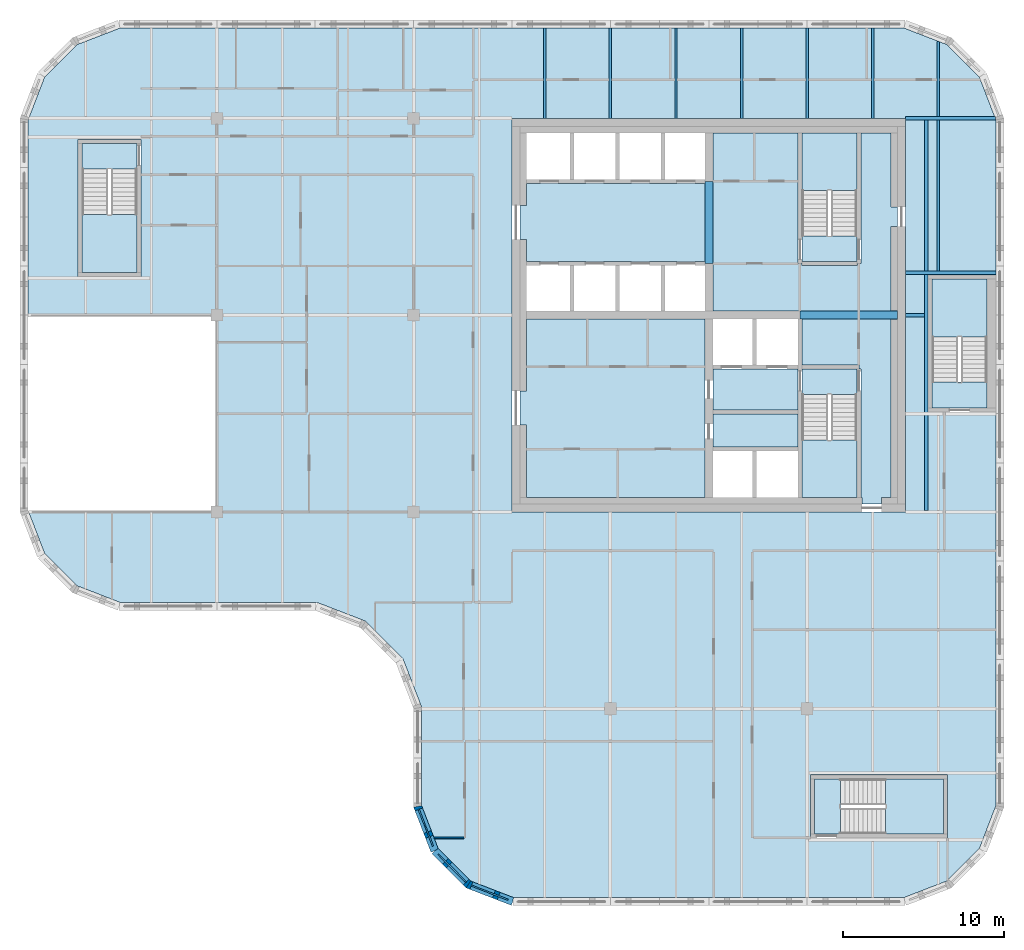
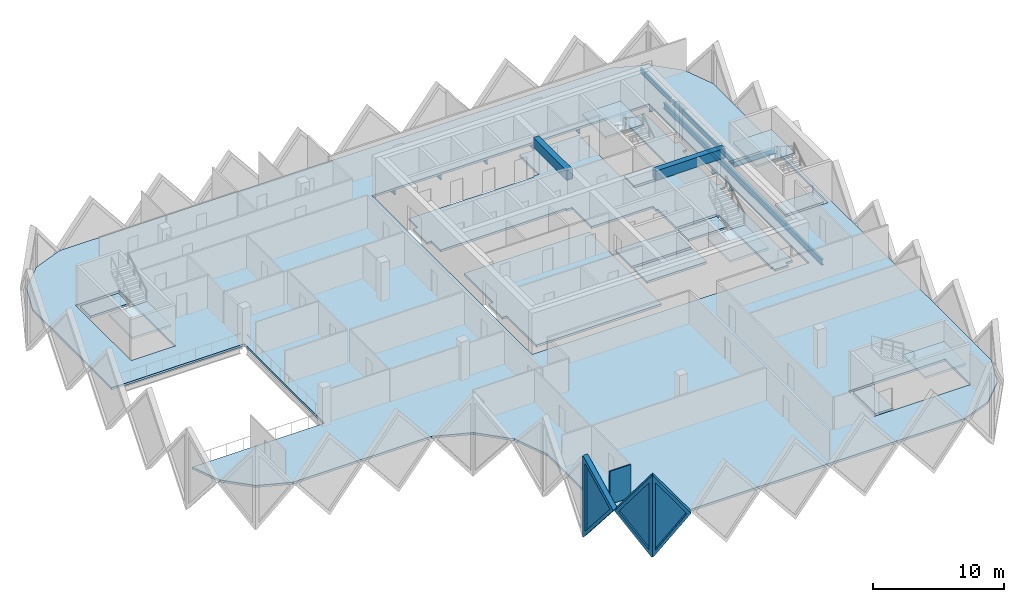
# One storey, part 2 of 11: 15 slabs, 14 beams, 4 walls, 3 plates, 3 openings, 5 elements without a shape of their own.
"""IFC4 building model written with IfcOpenShell, lengths in metres."""

from ifc_helpers import new_model, si_unit, direction, frame, frame_2d, origin, origin_2d, place, context, subcontext, project, spatial, polyline, rectangle, i_section, outline, extrude, faceted_brep, source, transform, mapped, material, layer, layer_set, material_profile, profile_set, type_object, element, fill, aggregate, save


model = new_model("IFC4")

# Units and contexts
model_context = context("Model", 3, precision=1e-05, world=origin(), true_north=direction((0.0, 1.0)))
body_context = subcontext(model_context, "Body", "Model", "MODEL_VIEW")
ifc_project = project(units=[si_unit("LENGTHUNIT", "METRE"), si_unit("AREAUNIT", "SQUARE_METRE"), si_unit("VOLUMEUNIT", "CUBIC_METRE"), si_unit("PLANEANGLEUNIT", "RADIAN"), si_unit("MASSUNIT", "GRAM", prefix="KILO")], contexts=[model_context])

# Site, building, storey
site_placement = place(None, origin())
site = spatial("IfcSite", under=ifc_project, at=site_placement, CompositionType="ELEMENT")
building_placement = place(site_placement, origin())
building = spatial("IfcBuilding", under=site, at=building_placement, Name="Tessera Gate Towers", CompositionType="ELEMENT")
storey_placement = place(building_placement, frame((0.0, 0.0, 224.5)))
storey = spatial("IfcBuildingStorey", under=building, at=storey_placement, Name="L56", CompositionType="ELEMENT", Elevation=224.5)

# Beams
ifc_material_1 = material(Name="Concrete C50/60", Category="concrete")
ifc_material_profile_1 = material_profile(ifc_material_1, rectangle(XDim=0.5, YDim=0.89990234375, at=origin_2d()), Name="RC 500x900")
ifc_profile_set_1 = profile_set([ifc_material_profile_1], Name="Concrete C50/60")
beam_type_1 = type_object("IfcBeamType", Name="COUPLING BEAM 500x900 C50/60", PredefinedType="BEAM", material=ifc_profile_set_1)
beam_1_placement = place(storey_placement, frame((48.35009765625, 36.60009765625, 3.14990234375), z_axis=(1.0, 0.0, 0.0), x_axis=(0.0, 1.0, 0.0)))
element("IfcBeam", 1, at=beam_1_placement, inside=storey, type_object=beam_type_1, Name="L56 coupling beam 1", PredefinedType="BEAM", context=body_context, shape_type="SweptSolid", body=[
    extrude(rectangle(XDim=0.5, YDim=0.89990234375, at=origin_2d()), origin(), (0.0, 0.0, 1.0), 6.0498046875),
])
beam_2_placement = place(storey_placement, frame((42.699951171875, 39.800048828125, 3.14990234375), z_axis=(0.0, 1.0, 0.0), x_axis=(-1.0, 0.0, 0.0)))
element("IfcBeam", 2, at=beam_2_placement, inside=storey, type_object=beam_type_1, Name="L56 coupling beam 2", PredefinedType="BEAM", context=body_context, shape_type="SweptSolid", body=[
    extrude(rectangle(XDim=0.5, YDim=0.89990234375, at=origin_2d()), origin(), (0.0, 0.0, 1.0), 5.099853515625),
])
ifc_material_2 = material(Name="Steel 350W", Category="steel")
ifc_material_profile_2 = material_profile(ifc_material_2, i_section(OverallWidth=0.208984375, OverallDepth=0.532958984375, WebThickness=0.01025390625, FlangeThickness=0.015625, at=origin_2d()), Name="W530x92")
ifc_profile_set_2 = profile_set([ifc_material_profile_2], Name="Steel 350W")
beam_type_2 = type_object("IfcBeamType", Name="FLOOR GIRDER W530x92", PredefinedType="BEAM", material=ifc_profile_set_2)
beam_3_placement = place(storey_placement, frame((54.89892578125, 36.60009765625, -0.466552734375), z_axis=(1.0, 0.0, 0.0), x_axis=(0.0, 1.0, 0.0)))
element("IfcBeam", 3, at=beam_3_placement, inside=storey, type_object=beam_type_2, Name="T1-GD-L56-5710", PredefinedType="BEAM", context=body_context, shape_type="SweptSolid", body=[
    extrude(i_section(OverallWidth=0.208984375, OverallDepth=0.532958984375, WebThickness=0.01025390625, FlangeThickness=0.015625, at=origin_2d()), origin(), (0.0, 0.0, 1.0), 1.176513671875),
])
beam_4_placement = place(storey_placement, frame((54.90087890625, 48.800048828125, -0.466552734375), z_axis=(1.0, 0.0, 0.0), x_axis=(0.0, 1.0, 0.0)))
element("IfcBeam", 4, at=beam_4_placement, inside=storey, type_object=beam_type_2, Name="T1-GD-L56-5714", PredefinedType="BEAM", context=body_context, shape_type="SweptSolid", body=[
    extrude(i_section(OverallWidth=0.208984375, OverallDepth=0.532958984375, WebThickness=0.01025390625, FlangeThickness=0.015625, at=origin_2d()), origin(), (0.0, 0.0, 1.0), 5.564208984375),
])
beam_5_placement = place(storey_placement, frame((54.89892578125, 39.219970703125, -0.466552734375), z_axis=(1.0, 0.0, 0.0), x_axis=(0.0, 1.0, 0.0)))
element("IfcBeam", 5, at=beam_5_placement, inside=storey, type_object=beam_type_2, Name="T1-GD-L56-5732", PredefinedType="BEAM", context=body_context, shape_type="SweptSolid", body=[
    extrude(i_section(OverallWidth=0.208984375, OverallDepth=0.532958984375, WebThickness=0.01025390625, FlangeThickness=0.015625, at=origin_2d()), origin(), (0.0, 0.0, 1.0), 5.60205078125),
])
beam_6_placement = place(storey_placement, frame((56.179931640625, 24.50439453125, -0.466552734375), z_axis=(0.0, 1.0, 0.0), x_axis=(-1.0, 0.0, 0.0)))
element("IfcBeam", 6, at=beam_6_placement, inside=storey, type_object=beam_type_2, Name="T1-GD-L56-5733", PredefinedType="BEAM", context=body_context, shape_type="SweptSolid", body=[
    extrude(i_section(OverallWidth=0.208984375, OverallDepth=0.532958984375, WebThickness=0.01025390625, FlangeThickness=0.015625, at=origin_2d()), origin(), (0.0, 0.0, 1.0), 24.191162109375),
])
ifc_material_3 = material(Name="Steel 350W", Category="steel")
ifc_material_profile_3 = material_profile(ifc_material_3, i_section(OverallWidth=0.153076171875, OverallDepth=0.455078125, WebThickness=0.008056640625, FlangeThickness=0.01318359375, at=origin_2d()), Name="W460x60")
ifc_profile_set_3 = profile_set([ifc_material_profile_3], Name="Steel 350W")
beam_type_3 = type_object("IfcBeamType", Name="FLOOR SECONDARY W460x60", PredefinedType="BEAM", material=ifc_profile_set_3)
for number, where, z_axis, x_axis, name in (
    (7, (32.533203125, 48.800048828125, -0.427490234375), (0.0, 1.0, 0.0), (-1.0, 0.0, 0.0), "T1-BM-L56-5755"),
    (8, (36.60009765625, 48.800048828125, -0.427490234375), (0.0, 1.0, 0.0), (-1.0, 0.0, 0.0), "T1-BM-L56-5756"),
    (9, (40.666748046875, 48.800048828125, -0.427490234375), (0.0, 1.0, 0.0), (-1.0, 0.0, 0.0), "T1-BM-L56-5759"),
    (10, (44.7333984375, 48.800048828125, -0.427490234375), (0.0, 1.0, 0.0), (-1.0, 0.0, 0.0), "T1-BM-L56-5762"),
    (11, (48.800048828125, 48.800048828125, -0.427490234375), (0.0, 1.0, 0.0), (-1.0, 0.0, 0.0), "T1-BM-L56-5763"),
    (12, (52.86669921875, 48.800048828125, -0.427490234375), (0.0, 1.0, 0.0), (-1.0, 0.0, 0.0), "T1-BM-L56-5767"),
):
    element("IfcBeam", number, at=place(storey_placement, frame(where, z_axis=z_axis, x_axis=x_axis)), inside=storey, type_object=beam_type_3, Name=name, PredefinedType="BEAM", context=body_context, shape_type="SweptSolid", body=[
        extrude(i_section(OverallWidth=0.153076171875, OverallDepth=0.455078125, WebThickness=0.008056640625, FlangeThickness=0.01318359375, at=origin_2d()), origin(), (0.0, 0.0, 1.0), 5.599853515625),
    ])
beam_7_placement = place(storey_placement, frame((56.933349609375, 39.324462890625, -0.427490234375), z_axis=(0.0, 1.0, 0.0), x_axis=(-1.0, 0.0, 0.0)))
element("IfcBeam", 13, at=beam_7_placement, inside=storey, type_object=beam_type_3, Name="T1-BM-L56-5772", PredefinedType="BEAM", context=body_context, shape_type="SweptSolid", body=[
    extrude(i_section(OverallWidth=0.153076171875, OverallDepth=0.455078125, WebThickness=0.008056640625, FlangeThickness=0.01318359375, at=origin_2d()), origin(), (0.0, 0.0, 1.0), 9.37109375),
])
beam_8_placement = place(storey_placement, frame((56.933349609375, 48.904541015625, -0.427490234375), z_axis=(0.0, 1.0, 0.0), x_axis=(-1.0, 0.0, 0.0)))
element("IfcBeam", 14, at=beam_8_placement, inside=storey, type_object=beam_type_3, Name="T1-BM-L56-5773", PredefinedType="BEAM", context=body_context, shape_type="SweptSolid", body=[
    extrude(i_section(OverallWidth=0.153076171875, OverallDepth=0.455078125, WebThickness=0.008056640625, FlangeThickness=0.01318359375, at=origin_2d()), origin(), (0.0, 0.0, 1.0), 4.675048828125),
])

# Slabs
ifc_material_4 = material(Name="Concrete C35/45", Category="concrete")
ifc_layer_1 = layer(ifc_material_4, 0.199951171875)
ifc_layer_set_1 = layer_set([ifc_layer_1], Name="COMPOSITE FLOOR 200")
slab_type_1 = type_object("IfcSlabType", Name="COMPOSITE FLOOR 200", PredefinedType="FLOOR", material=ifc_layer_set_1)
slab_1_placement = place(storey_placement, frame((0.0, 0.0, -0.199951171875)))
element("IfcSlab", 15, at=slab_1_placement, inside=storey, type_object=slab_type_1, Name="T1-L56", PredefinedType="FLOOR", context=body_context, shape_type="SweptSolid", body=[
    extrude(outline(polyline([(0.5, 36.60009765625), (12.199951171875, 36.60009765625), (12.199951171875, 24.39990234375), (0.535888671875, 24.39990234375), (1.526123046875, 21.8330078125), (3.533203125, 19.826171875), (6.193115234375, 18.800048828125), (18.39306640625, 18.800048828125), (21.42431640625, 17.630615234375), (23.730712890625, 15.32421875), (24.89990234375, 12.293212890625), (24.89990234375, 6.193115234375), (25.926025390625, 3.533203125), (27.93310546875, 1.526123046875), (30.593017578125, 0.5), (54.806884765625, 0.5), (57.466796875, 1.526123046875), (59.473876953125, 3.533203125), (60.5, 6.193115234375), (60.5, 48.706787109375), (59.473876953125, 51.366943359375), (57.466796875, 53.373779296875), (54.806884765625, 54.39990234375), (6.193115234375, 54.39990234375), (3.533203125, 53.373779296875), (1.526123046875, 51.366943359375), (0.5, 48.706787109375), (0.5, 36.60009765625)]), holes=[polyline([(3.60009765625, 39.0), (3.60009765625, 47.5), (7.5, 47.5), (7.5, 39.0), (3.60009765625, 39.0)]), polyline([(30.5, 24.39990234375), (30.5, 48.800048828125), (54.89990234375, 48.800048828125), (54.89990234375, 24.39990234375), (30.5, 24.39990234375)]), polyline([(49.0, 4.199951171875), (49.0, 8.10009765625), (57.5, 8.10009765625), (57.5, 4.199951171875), (49.0, 4.199951171875)]), polyline([(56.300048828125, 30.60009765625), (56.300048828125, 39.10009765625), (60.199951171875, 39.10009765625), (60.199951171875, 30.60009765625), (56.300048828125, 30.60009765625)])]), origin(), (0.0, 0.0, 1.0), 0.199951171875),
])
ifc_material_5 = material(Name="Concrete C35/45", Category="concrete")
ifc_layer_2 = layer(ifc_material_5, 0.199951171875)
ifc_layer_set_2 = layer_set([ifc_layer_2], Name="CORE FLOOR SLAB 200")
slab_type_2 = type_object("IfcSlabType", Name="CORE FLOOR SLAB 200", PredefinedType="FLOOR", material=ifc_layer_set_2)
slab_2_placement = place(storey_placement, frame((0.0, 0.0, -0.199951171875)))
element("IfcSlab", 16, at=slab_2_placement, inside=storey, type_object=slab_type_2, Name="L56 core floor slab", PredefinedType="FLOOR", context=body_context, shape_type="SweptSolid", body=[
    extrude(outline(polyline([(42.449951171875, 44.89990234375), (42.449951171875, 44.77490234375), (31.39990234375, 44.77490234375), (31.39990234375, 43.39990234375), (31.0, 43.39990234375), (31.0, 41.300048828125), (31.39990234375, 41.300048828125), (31.39990234375, 39.925048828125), (42.449951171875, 39.925048828125), (42.449951171875, 39.800048828125), (42.949951171875, 39.800048828125), (42.949951171875, 36.85009765625), (48.35009765625, 36.85009765625), (48.35009765625, 36.35009765625), (48.47509765625, 36.35009765625), (48.47509765625, 33.52490234375), (52.0, 33.52490234375), (52.0, 33.27490234375), (52.125, 33.27490234375), (52.125, 25.300048828125), (52.199951171875, 25.300048828125), (52.199951171875, 24.89990234375), (53.39990234375, 24.89990234375), (53.39990234375, 25.300048828125), (54.0, 25.300048828125), (54.0, 36.320068359375), (54.39990234375, 36.320068359375), (54.39990234375, 36.8798828125), (54.0, 36.8798828125), (54.0, 42.10009765625), (54.39990234375, 42.10009765625), (54.39990234375, 43.300048828125), (54.0, 43.300048828125), (54.0, 47.89990234375), (52.125, 47.89990234375), (52.125, 39.800048828125), (51.875, 39.800048828125), (51.875, 39.675048828125), (48.47509765625, 39.675048828125), (48.47509765625, 39.800048828125), (48.22509765625, 39.800048828125), (48.22509765625, 47.89990234375), (42.949951171875, 47.89990234375), (42.949951171875, 44.89990234375), (42.449951171875, 44.89990234375)])), origin(), (0.0, 0.0, 1.0), 0.199951171875),
])
slab_3_placement = place(storey_placement, frame((0.0, 0.0, -0.199951171875)))
element("IfcSlab", 17, at=slab_3_placement, inside=storey, type_object=slab_type_2, Name="L56 core floor slab", PredefinedType="FLOOR", context=body_context, shape_type="SweptSolid", body=[
    extrude(outline(polyline([(31.39990234375, 36.35009765625), (31.39990234375, 31.89990234375), (31.0, 31.89990234375), (31.0, 29.800048828125), (31.39990234375, 29.800048828125), (31.39990234375, 25.300048828125), (42.449951171875, 25.300048828125), (42.449951171875, 36.35009765625), (31.39990234375, 36.35009765625)])), origin(), (0.0, 0.0, 1.0), 0.199951171875),
])
slab_4_placement = place(storey_placement, frame((0.0, 0.0, -0.199951171875)))
element("IfcSlab", 18, at=slab_4_placement, inside=storey, type_object=slab_type_2, Name="L56 core floor slab", PredefinedType="FLOOR", context=body_context, shape_type="SweptSolid", body=[
    extrude(outline(polyline([(42.949951171875, 33.27490234375), (42.949951171875, 30.72509765625), (48.22509765625, 30.72509765625), (48.22509765625, 33.27490234375), (42.949951171875, 33.27490234375)])), origin(), (0.0, 0.0, 1.0), 0.199951171875),
])
slab_5_placement = place(storey_placement, frame((0.0, 0.0, -0.199951171875)))
element("IfcSlab", 19, at=slab_5_placement, inside=storey, type_object=slab_type_2, Name="L56 core floor slab", PredefinedType="FLOOR", context=body_context, shape_type="SweptSolid", body=[
    extrude(outline(polyline([(48.22509765625, 30.47509765625), (42.949951171875, 30.47509765625), (42.949951171875, 28.425048828125), (48.22509765625, 28.425048828125), (48.22509765625, 30.47509765625)])), origin(), (0.0, 0.0, 1.0), 0.199951171875),
])
slab_6_placement = place(storey_placement, frame((0.0, 0.0, -0.199951171875)))
element("IfcSlab", 20, at=slab_6_placement, inside=storey, type_object=slab_type_2, Name="L56 core floor slab", PredefinedType="FLOOR", context=body_context, shape_type="SweptSolid", body=[
    extrude(outline(polyline([(51.875, 31.675048828125), (51.875, 33.27490234375), (48.47509765625, 33.27490234375), (48.47509765625, 31.675048828125), (51.875, 31.675048828125)])), origin(), (0.0, 0.0, 1.0), 0.199951171875),
])
slab_7_placement = place(storey_placement, frame((0.0, 0.0, -0.199951171875)))
element("IfcSlab", 21, at=slab_7_placement, inside=storey, type_object=slab_type_2, Name="L56 core floor slab", PredefinedType="FLOOR", context=body_context, shape_type="SweptSolid", body=[
    extrude(outline(polyline([(48.47509765625, 41.52490234375), (48.47509765625, 39.925048828125), (51.875, 39.925048828125), (51.875, 41.52490234375), (48.47509765625, 41.52490234375)])), origin(), (0.0, 0.0, 1.0), 0.199951171875),
])
slab_8_placement = place(storey_placement, frame((0.0, 0.0, -0.199951171875)))
element("IfcSlab", 22, at=slab_8_placement, inside=storey, type_object=slab_type_2, Name="L56 ST3 floor landing", PredefinedType="FLOOR", context=body_context, shape_type="SweptSolid", body=[
    extrude(outline(polyline([(3.85009765625, 47.25), (3.85009765625, 45.64990234375), (7.25, 45.64990234375), (7.25, 47.25), (3.85009765625, 47.25)])), origin(), (0.0, 0.0, 1.0), 0.199951171875),
])
slab_9_placement = place(storey_placement, frame((0.0, 0.0, -0.199951171875)))
element("IfcSlab", 23, at=slab_9_placement, inside=storey, type_object=slab_type_2, Name="L56 ST4 floor landing", PredefinedType="FLOOR", context=body_context, shape_type="SweptSolid", body=[
    extrude(outline(polyline([(49.25, 4.449951171875), (50.85009765625, 4.449951171875), (50.85009765625, 7.85009765625), (49.25, 7.85009765625), (49.25, 4.449951171875)])), origin(), (0.0, 0.0, 1.0), 0.199951171875),
])
slab_10_placement = place(storey_placement, frame((0.0, 0.0, -0.199951171875)))
element("IfcSlab", 24, at=slab_10_placement, inside=storey, type_object=slab_type_2, Name="L56 ST5 floor landing", PredefinedType="FLOOR", context=body_context, shape_type="SweptSolid", body=[
    extrude(outline(polyline([(59.949951171875, 30.85009765625), (59.949951171875, 32.449951171875), (56.550048828125, 32.449951171875), (56.550048828125, 30.85009765625), (59.949951171875, 30.85009765625)])), origin(), (0.0, 0.0, 1.0), 0.199951171875),
])

# Stair, slab
ifc_material_6 = material(Name="Concrete C40/50", Category="concrete")
stair_type_1 = type_object("IfcStairType", Name="EXIT STAIR ST1 1600", PredefinedType="HALF_TURN_STAIR", material=ifc_material_6)
stair_1_placement = place(storey_placement, origin())
stair_1 = element("IfcStair", 25, at=stair_1_placement, inside=storey, type_object=stair_type_1, Name="L56 Protected Exit Stair ST1", PredefinedType="HALF_TURN_STAIR")
ifc_material_7 = material(Name="Concrete C40/50", Category="concrete")
ifc_layer_3 = layer(ifc_material_7, 0.199951171875)
ifc_layer_set_3 = layer_set([ifc_layer_3], Name="EXIT STAIR LANDING 200")
slab_type_3 = type_object("IfcSlabType", Name="EXIT STAIR LANDING 200", PredefinedType="LANDING", material=ifc_layer_set_3)
slab_11_placement = place(storey_placement, frame((0.0, 0.0, 1.699951171875)))
slab_11 = element("IfcSlab", 26, at=slab_11_placement, type_object=slab_type_3, Name="ST1 landing 1", PredefinedType="LANDING", context=body_context, shape_type="SweptSolid", body=[
    extrude(outline(polyline([(48.47509765625, 28.875), (48.47509765625, 25.300048828125), (51.875, 25.300048828125), (51.875, 28.875), (48.47509765625, 28.875)])), origin(), (0.0, 0.0, 1.0), 0.199951171875),
])
aggregate(stair_1, [slab_11])

ifc_material_8 = material(Name="Concrete C40/50", Category="concrete")
stair_type_2 = type_object("IfcStairType", Name="EXIT STAIR ST2 1600", PredefinedType="HALF_TURN_STAIR", material=ifc_material_8)
stair_2_placement = place(storey_placement, origin())
stair_2 = element("IfcStair", 27, at=stair_2_placement, inside=storey, type_object=stair_type_2, Name="L56 Protected Exit Stair ST2", PredefinedType="HALF_TURN_STAIR")
slab_12_placement = place(storey_placement, frame((0.0, 0.0, 1.699951171875)))
slab_12 = element("IfcSlab", 28, at=slab_12_placement, type_object=slab_type_3, Name="ST2 landing 1", PredefinedType="LANDING", context=body_context, shape_type="SweptSolid", body=[
    extrude(outline(polyline([(51.875, 44.324951171875), (51.875, 47.89990234375), (48.47509765625, 47.89990234375), (48.47509765625, 44.324951171875), (51.875, 44.324951171875)])), origin(), (0.0, 0.0, 1.0), 0.199951171875),
])
aggregate(stair_2, [slab_12])

ifc_material_9 = material(Name="Concrete C40/50", Category="concrete")
stair_type_3 = type_object("IfcStairType", Name="EXIT STAIR ST3 1600", PredefinedType="HALF_TURN_STAIR", material=ifc_material_9)
stair_3_placement = place(storey_placement, origin())
stair_3 = element("IfcStair", 29, at=stair_3_placement, inside=storey, type_object=stair_type_3, Name="L56 West Exit Stair ST3", PredefinedType="HALF_TURN_STAIR")
slab_13_placement = place(storey_placement, frame((0.0, 0.0, 1.699951171875)))
slab_13 = element("IfcSlab", 30, at=slab_13_placement, type_object=slab_type_3, Name="ST3 landing 1", PredefinedType="LANDING", context=body_context, shape_type="SweptSolid", body=[
    extrude(outline(polyline([(3.85009765625, 42.85009765625), (3.85009765625, 39.25), (7.25, 39.25), (7.25, 42.85009765625), (3.85009765625, 42.85009765625)])), origin(), (0.0, 0.0, 1.0), 0.199951171875),
])
aggregate(stair_3, [slab_13])

ifc_material_10 = material(Name="Concrete C40/50", Category="concrete")
stair_type_4 = type_object("IfcStairType", Name="EXIT STAIR ST4 1600", PredefinedType="HALF_TURN_STAIR", material=ifc_material_10)
stair_4_placement = place(storey_placement, origin())
stair_4 = element("IfcStair", 31, at=stair_4_placement, inside=storey, type_object=stair_type_4, Name="L56 South Exit Stair ST4", PredefinedType="HALF_TURN_STAIR")
slab_14_placement = place(storey_placement, frame((0.0, 0.0, 1.699951171875)))
slab_14 = element("IfcSlab", 32, at=slab_14_placement, type_object=slab_type_3, Name="ST4 landing 1", PredefinedType="LANDING", context=body_context, shape_type="SweptSolid", body=[
    extrude(outline(polyline([(53.64990234375, 4.449951171875), (57.25, 4.449951171875), (57.25, 7.85009765625), (53.64990234375, 7.85009765625), (53.64990234375, 4.449951171875)])), origin(), (0.0, 0.0, 1.0), 0.199951171875),
])
aggregate(stair_4, [slab_14])

ifc_material_11 = material(Name="Concrete C40/50", Category="concrete")
stair_type_5 = type_object("IfcStairType", Name="EXIT STAIR ST5 1600", PredefinedType="HALF_TURN_STAIR", material=ifc_material_11)
stair_5_placement = place(storey_placement, origin())
stair_5 = element("IfcStair", 33, at=stair_5_placement, inside=storey, type_object=stair_type_5, Name="L56 East Exit Stair ST5", PredefinedType="HALF_TURN_STAIR")
slab_15_placement = place(storey_placement, frame((0.0, 0.0, 1.699951171875)))
slab_15 = element("IfcSlab", 34, at=slab_15_placement, type_object=slab_type_3, Name="ST5 landing 1", PredefinedType="LANDING", context=body_context, shape_type="SweptSolid", body=[
    extrude(outline(polyline([(59.949951171875, 35.25), (59.949951171875, 38.85009765625), (56.550048828125, 38.85009765625), (56.550048828125, 35.25), (59.949951171875, 35.25)])), origin(), (0.0, 0.0, 1.0), 0.199951171875),
])
aggregate(stair_5, [slab_15])

# Wall
ifc_material_12 = material(Name="Glass", Category="glass")
ifc_layer_4 = layer(ifc_material_12, 0.10009765625)
ifc_layer_set_4 = layer_set([ifc_layer_4], Name="GLAZED PARTITION 100")
wall_type_1 = type_object("IfcWallType", Name="GLAZED PARTITION 100", PredefinedType="PARTITIONING", material=ifc_layer_set_4)
wall_1_placement = place(storey_placement, frame((25.668701171875, 4.199951171875, 0.0), z_axis=(0.0, 0.0, 1.0), x_axis=(1.0, 0.0, 0.0)))
element("IfcWall", 35, at=wall_1_placement, inside=storey, type_object=wall_type_1, Name="T1-L56-PW-003", PredefinedType="PARTITIONING", context=body_context, shape_type="SweptSolid", body=[
    extrude(rectangle(XDim=1.855224609375, YDim=0.10009765625, at=frame_2d((0.927734375, 0.0))), origin(), (0.0, 0.0, 1.0), 3.06689453125),
])

# Wall, opening, plate
ifc_material_13 = material(Name="Precast concrete C60/75 white", Category="concrete")
ifc_layer_5 = layer(ifc_material_13, 0.5)
ifc_layer_set_5 = layer_set([ifc_layer_5], Name="TS3 corner tessera")
wall_type_2 = type_object("IfcWallType", Name="TS3 corner tessera", PredefinedType="SOLIDWALL", material=ifc_layer_set_5)
shared_shape_1 = source(origin(), body_context, "Body", "Brep", [
    faceted_brep([(0.046630859375, -0.25, 0.0), (2.9970703125, -0.25, 3.800048828125), (0.046630859375, -0.25, 7.60009765625), (0.0, -0.25, 7.541259765625), (0.0, -0.25, 0.058837890625), (0.09326171875, 0.25, 7.5400390625), (2.9443359375, 0.25, 3.8681640625), (2.9443359375, 0.25, 3.73193359375), (0.09326171875, 0.25, 0.06005859375), (2.9970703125, 0.00048828125, 3.800048828125), (0.046630859375, 0.0, 0.0), (0.046630859375, 0.0, 7.60009765625)], [[[0, 1, 2, 3, 4]], [[5, 6, 7, 8]], [[8, 7, 9, 1, 0, 10]], [[6, 5, 11, 2, 1, 9]], [[3, 2, 11]], [[10, 0, 4]], [[8, 10, 4, 3, 11, 5]], [[9, 7, 6]]]),
])
wall_2_placement = place(storey_placement, frame((24.63330078125, 6.18994140625, -3.800048828125), z_axis=(0.0, 0.0, 1.0), x_axis=(0.359901446078, -0.932990326376, 0.0)))
wall_2 = element("IfcWall", 36, at=wall_2_placement, inside=storey, type_object=wall_type_2, Name="Precast corner tessera T1 TS3-1318", PredefinedType="SOLIDWALL", context=body_context, shape_type="MappedRepresentation", body=[
    mapped(shared_shape_1, transform((0.0, 0.0, 0.0), scale=1.0)),
])
shared_shape_2 = source(origin(), body_context, "Body", "SweptSolid", [
    extrude(outline(polyline([(0.24658203125, 0.665283203125), (2.6806640625, 3.800048828125), (0.24658203125, 6.934814453125), (0.24658203125, 0.665283203125)])), frame((0.0, 0.260009765625, 0.0), z_axis=(0.0, -1.0, 0.0), x_axis=(1.0, 0.0, 0.0)), (0.0, 0.0, 1.0), 0.52001953125),
])
opening_1_placement = place(wall_2_placement, origin())
opening_1 = element("IfcOpeningElement", 37, at=opening_1_placement, cuts=wall_2, Name="Opening T1-PL2-2065", PredefinedType="OPENING", context=body_context, shape_type="MappedRepresentation", body=[
    mapped(shared_shape_2, transform((0.0, 0.0, 0.0), scale=1.0)),
])
ifc_material_14 = material(Name="Low-e laminated glass", Category="glass")
ifc_layer_6 = layer(ifc_material_14, 0.06005859375)
ifc_layer_set_6 = layer_set([ifc_layer_6], Name="PL2 rhombic pane")
plate_type = type_object("IfcPlateType", Name="PL2 rhombic pane", PredefinedType="SHEET", material=ifc_layer_set_6)
shared_shape_3 = source(origin(), body_context, "Body", "SweptSolid", [
    extrude(outline(polyline([(0.24658203125, 0.665283203125), (2.6806640625, 3.800048828125), (0.24658203125, 6.934814453125), (0.24658203125, 0.665283203125)])), frame((0.0, 0.030029296875, 0.0), z_axis=(0.0, -1.0, 0.0), x_axis=(1.0, 0.0, 0.0)), (0.0, 0.0, 1.0), 0.06005859375),
])
plate_1_placement = place(opening_1_placement, origin())
plate_1 = element("IfcPlate", 38, at=plate_1_placement, inside=storey, type_object=plate_type, Name="Glass pane T1 PL2-2065", PredefinedType="SHEET", context=body_context, shape_type="MappedRepresentation", body=[
    mapped(shared_shape_3, transform((0.0, 0.0, 0.0), scale=1.0)),
])
fill(opening_1, plate_1)

shared_shape_4 = source(origin(), body_context, "Body", "Brep", [
    faceted_brep([(0.052978515625, -0.25, 0.0), (3.00341796875, -0.25, 3.800048828125), (0.052978515625, -0.25, 7.60009765625), (0.0, -0.25, 7.53173828125), (0.0, -0.25, 0.068359375), (0.10595703125, 0.25, 7.531982421875), (2.95703125, 0.25, 3.85986328125), (2.95703125, 0.25, 3.740234375), (0.10595703125, 0.25, 0.068115234375), (3.00341796875, 0.00048828125, 3.800048828125), (0.052978515625, 0.0, 0.0), (0.052978515625, 0.0, 7.60009765625)], [[[0, 1, 2, 3, 4]], [[5, 6, 7, 8]], [[8, 7, 9, 1, 0, 10]], [[6, 5, 11, 2, 1, 9]], [[3, 2, 11]], [[10, 0, 4]], [[8, 10, 4, 3, 11, 5]], [[9, 7, 6]]]),
])
wall_3_placement = place(storey_placement, frame((27.744384765625, 1.3310546875, -3.800048828125), z_axis=(0.0, 0.0, 1.0), x_axis=(0.932970071518, -0.359953949349, 0.0)))
wall_3 = element("IfcWall", 39, at=wall_3_placement, inside=storey, type_object=wall_type_2, Name="Precast corner tessera T1 TS3-1320", PredefinedType="SOLIDWALL", context=body_context, shape_type="MappedRepresentation", body=[
    mapped(shared_shape_4, transform((0.0, 0.0, 0.0), scale=1.0)),
])
shared_shape_5 = source(origin(), body_context, "Body", "SweptSolid", [
    extrude(outline(polyline([(0.2529296875, 0.665283203125), (2.68701171875, 3.800048828125), (0.2529296875, 6.934814453125), (0.2529296875, 0.665283203125)])), frame((0.0, 0.260009765625, 0.0), z_axis=(0.0, -1.0, 0.0), x_axis=(1.0, 0.0, 0.0)), (0.0, 0.0, 1.0), 0.52001953125),
])
opening_2_placement = place(wall_3_placement, origin())
opening_2 = element("IfcOpeningElement", 40, at=opening_2_placement, cuts=wall_3, Name="Opening T1-PL2-2067", PredefinedType="OPENING", context=body_context, shape_type="MappedRepresentation", body=[
    mapped(shared_shape_5, transform((0.0, 0.0, 0.0), scale=1.0)),
])
shared_shape_6 = source(origin(), body_context, "Body", "SweptSolid", [
    extrude(outline(polyline([(0.2529296875, 0.665283203125), (2.68701171875, 3.800048828125), (0.2529296875, 6.934814453125), (0.2529296875, 0.665283203125)])), frame((0.0, 0.030029296875, 0.0), z_axis=(0.0, -1.0, 0.0), x_axis=(1.0, 0.0, 0.0)), (0.0, 0.0, 1.0), 0.06005859375),
])
plate_2_placement = place(opening_2_placement, origin())
plate_2 = element("IfcPlate", 41, at=plate_2_placement, inside=storey, type_object=plate_type, Name="Glass pane T1 PL2-2067", PredefinedType="SHEET", context=body_context, shape_type="MappedRepresentation", body=[
    mapped(shared_shape_6, transform((0.0, 0.0, 0.0), scale=1.0)),
])
fill(opening_2, plate_2)

shared_shape_7 = source(origin(), body_context, "Body", "Brep", [
    faceted_brep([(2.944091796875, -0.25, 0.0), (2.9970703125, -0.25, 0.068115234375), (2.9970703125, -0.25, 7.531982421875), (2.944091796875, -0.25, 7.60009765625), (0.0, -0.25, 3.800048828125), (0.052978515625, 0.25, 3.868408203125), (2.89111328125, 0.25, 7.531982421875), (2.89111328125, 0.25, 0.068115234375), (0.052978515625, 0.25, 3.731689453125), (2.944091796875, 0.000244140625, 0.0), (2.944091796875, 0.000244140625, 7.60009765625), (0.0, 0.0, 3.800048828125)], [[[0, 1, 2, 3, 4]], [[5, 6, 7, 8]], [[1, 0, 9]], [[10, 3, 2]], [[6, 5, 11, 4, 3, 10]], [[8, 7, 9, 0, 4, 11]], [[8, 11, 5]], [[1, 9, 7, 6, 10, 2]]]),
])
wall_4_placement = place(storey_placement, frame((25.7119140625, 3.393798828125, -3.800048828125), z_axis=(0.0, 0.0, 1.0), x_axis=(0.707066050402, -0.707147509625, 0.0)))
wall_4 = element("IfcWall", 42, at=wall_4_placement, inside=storey, type_object=wall_type_2, Name="Precast corner tessera T1 TS3-1319", PredefinedType="SOLIDWALL", context=body_context, shape_type="MappedRepresentation", body=[
    mapped(shared_shape_7, transform((0.0, 0.0, 0.0), scale=1.0)),
])
shared_shape_8 = source(origin(), body_context, "Body", "SweptSolid", [
    extrude(outline(polyline([(2.744140625, 6.933837890625), (0.316162109375, 3.800048828125), (2.744140625, 0.666259765625), (2.744140625, 6.933837890625)])), frame((0.0, 0.260009765625, 0.0), z_axis=(0.0, -1.0, 0.0), x_axis=(1.0, 0.0, 0.0)), (0.0, 0.0, 1.0), 0.52001953125),
])
opening_3_placement = place(wall_4_placement, origin())
opening_3 = element("IfcOpeningElement", 43, at=opening_3_placement, cuts=wall_4, Name="Opening T1-PL2-2066", PredefinedType="OPENING", context=body_context, shape_type="MappedRepresentation", body=[
    mapped(shared_shape_8, transform((0.0, 0.0, 0.0), scale=1.0)),
])
shared_shape_9 = source(origin(), body_context, "Body", "SweptSolid", [
    extrude(outline(polyline([(2.744140625, 6.933837890625), (0.316162109375, 3.800048828125), (2.744140625, 0.666259765625), (2.744140625, 6.933837890625)])), frame((0.0, 0.030029296875, 0.0), z_axis=(0.0, -1.0, 0.0), x_axis=(1.0, 0.0, 0.0)), (0.0, 0.0, 1.0), 0.06005859375),
])
plate_3_placement = place(opening_3_placement, origin())
plate_3 = element("IfcPlate", 44, at=plate_3_placement, inside=storey, type_object=plate_type, Name="Glass pane T1 PL2-2066", PredefinedType="SHEET", context=body_context, shape_type="MappedRepresentation", body=[
    mapped(shared_shape_9, transform((0.0, 0.0, 0.0), scale=1.0)),
])
fill(opening_3, plate_3)

save(model, "model.ifc")
